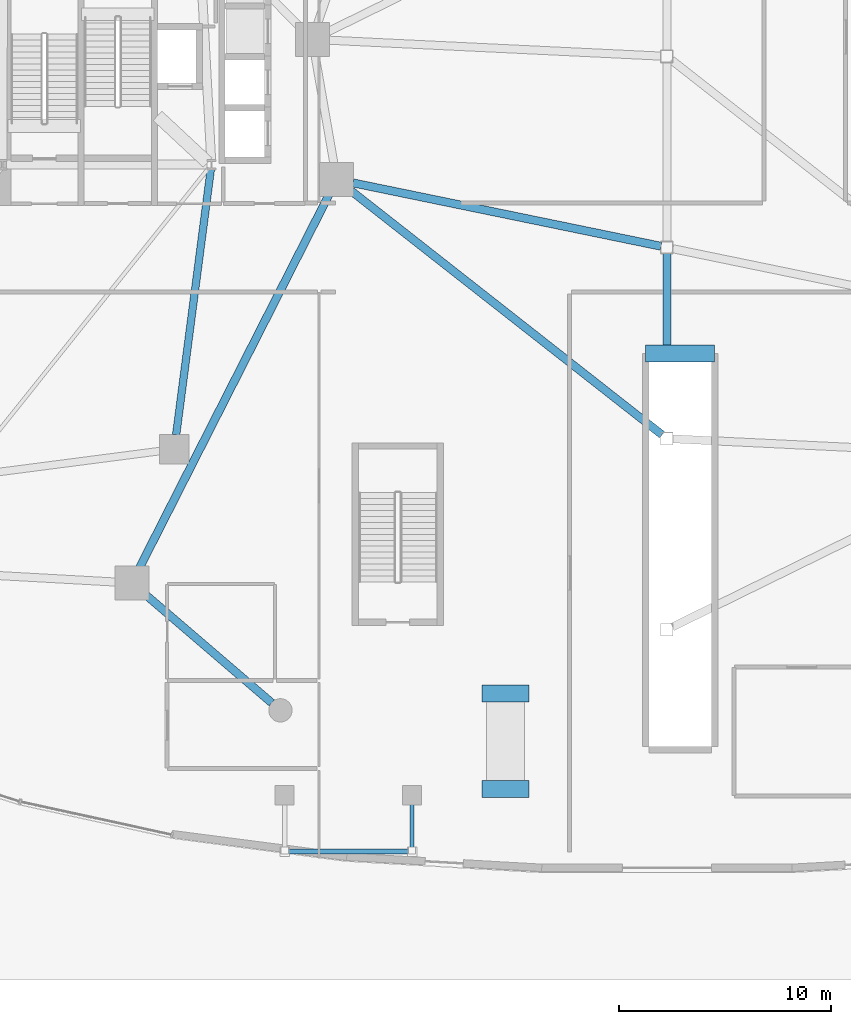
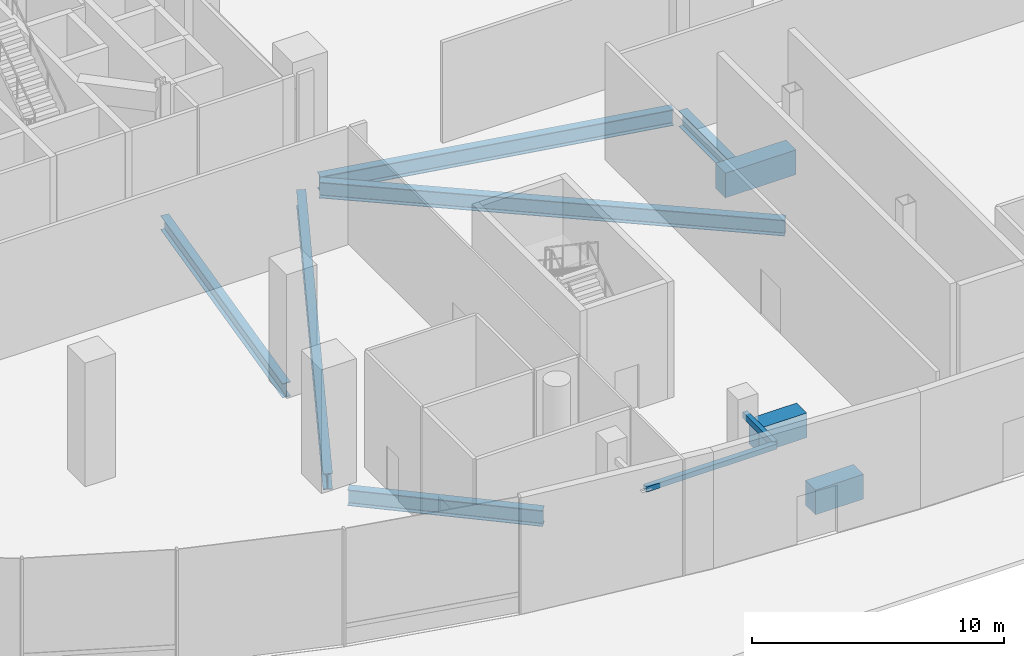
# One storey, part 4 of 20: 10 beams, 1 member.
"""IFC4 building model written with IfcOpenShell, lengths in metres."""

from ifc_helpers import new_model, si_unit, direction, frame, origin, origin_2d, place, context, subcontext, project, spatial, rectangle, hollow_rectangle, i_section, extrude, material, material_profile, profile_set, type_object, element, save


model = new_model("IFC4")

# Units and contexts
model_context = context("Model", 3, precision=1e-05, world=origin(), true_north=direction((0.0, 1.0)))
body_context = subcontext(model_context, "Body", "Model", "MODEL_VIEW")
ifc_project = project(units=[si_unit("LENGTHUNIT", "METRE"), si_unit("AREAUNIT", "SQUARE_METRE"), si_unit("VOLUMEUNIT", "CUBIC_METRE"), si_unit("PLANEANGLEUNIT", "RADIAN"), si_unit("MASSUNIT", "GRAM", prefix="KILO"), si_unit("THERMODYNAMICTEMPERATUREUNIT", "KELVIN"), si_unit("POWERUNIT", "WATT")], contexts=[model_context])

# Site, building, storey
site_placement = place(None, origin())
site = spatial("IfcSite", under=ifc_project, at=site_placement, CompositionType="ELEMENT")
building_placement = place(site_placement, origin())
building = spatial("IfcBuilding", under=site, at=building_placement, Name="Cundina Bronze Exchange", CompositionType="ELEMENT")
storey_placement = place(building_placement, origin())
storey = spatial("IfcBuildingStorey", under=building, at=storey_placement, Name="L00", CompositionType="ELEMENT", Elevation=0.0)

# Beams
ifc_material_1 = material(Name="Steel ASTM A500 Grade C", Category="steel")
ifc_material_profile_1 = material_profile(ifc_material_1, hollow_rectangle(XDim=0.199951171875, YDim=0.300048828125, WallThickness=0.011962890625, at=origin_2d()), Name="HSS300X200X12", Category="steel")
ifc_profile_set_1 = profile_set([ifc_material_profile_1], Name="Steel ASTM A500 Grade C")
beam_type_1 = type_object("IfcBeamType", Name="BM-CAN-HSS3020", PredefinedType="BEAM", material=ifc_profile_set_1)
beam_1_placement = place(storey_placement, frame((-12.0, -26.0, 4.64990234375), z_axis=(0.0, -1.0, 0.0), x_axis=(1.0, 0.0, 0.0)))
element("IfcBeam", 1, at=beam_1_placement, inside=storey, type_object=beam_type_1, Name="L00 South Station Entrance Canopy Outrigger 02", PredefinedType="BEAM", context=body_context, shape_type="SweptSolid", body=[
    extrude(hollow_rectangle(XDim=0.199951171875, YDim=0.300048828125, WallThickness=0.011962890625, at=origin_2d()), origin(), (0.0, 0.0, 1.0), 2.39990234375),
])
ifc_material_2 = material(Name="Concrete C40/50", Category="concrete")
ifc_material_profile_2 = material_profile(ifc_material_2, rectangle(XDim=0.800048828125, YDim=1.199951171875, at=origin_2d()), Name="RC800X1200", Category="concrete")
ifc_profile_set_2 = profile_set([ifc_material_profile_2], Name="Concrete C40/50")
beam_type_2 = type_object("IfcBeamType", Name="BM-GRND-RC1200", PredefinedType="BEAM", material=ifc_profile_set_2)
beam_2_placement = place(storey_placement, frame((-1.0, -5.0, -0.60009765625), z_axis=(1.0, 0.0, 0.0), x_axis=(0.0, 1.0, 0.0)))
element("IfcBeam", 2, at=beam_2_placement, inside=storey, type_object=beam_type_2, Name="L00 Ramp Arrival Bearing Beam", PredefinedType="BEAM", context=body_context, shape_type="SweptSolid", body=[
    extrude(rectangle(XDim=0.800048828125, YDim=1.199951171875, at=origin_2d()), origin(), (0.0, 0.0, 1.0), 3.25),
])
for number, where, z_axis, x_axis, name in (
    (3, (-8.699951171875, -25.5, -0.85009765625), (1.0, 0.0, 0.0), (0.0, 1.0, 0.0), "L00 Accessible Ramp S Lower Bearing Beam"),
    (4, (-8.699951171875, -21.0, -0.60009765625), (1.0, 0.0, 0.0), (0.0, 1.0, 0.0), "L00 Accessible Ramp S Upper Bearing Beam"),
):
    element("IfcBeam", number, at=place(storey_placement, frame(where, z_axis=z_axis, x_axis=x_axis)), inside=storey, type_object=beam_type_2, Name=name, PredefinedType="BEAM", context=body_context, shape_type="SweptSolid", body=[
        extrude(rectangle(XDim=0.800048828125, YDim=1.199951171875, at=origin_2d()), origin(), (0.0, 0.0, 1.0), 2.199951171875),
    ])
ifc_material_3 = material(Name="Steel ASTM A992 Grade 50", Category="steel")
ifc_material_profile_3 = material_profile(ifc_material_3, i_section(OverallWidth=0.35498046875, OverallDepth=0.695068359375, WebThickness=0.015380859375, FlangeThickness=0.02490234375, FilletRadius=0.01806640625, at=origin_2d()), Name="W27X146", Category="steel")
ifc_profile_set_3 = profile_set([ifc_material_profile_3], Name="Steel ASTM A992 Grade 50")
beam_type_3 = type_object("IfcBeamType", Name="BM-RING-W27", PredefinedType="USERDEFINED", material=ifc_profile_set_3)
beam_3_placement = place(storey_placement, frame((-23.11083984375, -8.81787109375, -0.697509765625), z_axis=(0.129498776905, 0.991579581668, 0.0), x_axis=(-0.991579581668, 0.129498776905, 0.0)))
element("IfcBeam", 5, at=beam_3_placement, inside=storey, type_object=beam_type_3, Name="L00 W Inner Structural Ring Girder 07", ObjectType="GIRDER", PredefinedType="USERDEFINED", context=body_context, shape_type="SweptSolid", body=[
    extrude(i_section(OverallWidth=0.35498046875, OverallDepth=0.695068359375, WebThickness=0.015380859375, FlangeThickness=0.02490234375, FilletRadius=0.01806640625, at=origin_2d()), origin(), (0.0, 0.0, 1.0), 12.621826171875),
])
ifc_material_profile_4 = material_profile(ifc_material_3, i_section(OverallWidth=0.381103515625, OverallDepth=0.77294921875, WebThickness=0.0166015625, FlangeThickness=0.027099609375, FilletRadius=0.01904296875, at=origin_2d()), Name="W30X173", Category="steel")
ifc_profile_set_4 = profile_set([ifc_material_profile_4], Name="Steel ASTM A992 Grade 50")
beam_type_4 = type_object("IfcBeamType", Name="BM-RING-W30", PredefinedType="USERDEFINED", material=ifc_profile_set_4)
beam_4_placement = place(storey_placement, frame((0.0, -4.6201171875, -0.736572265625), z_axis=(0.0, 1.0, 0.0), x_axis=(-1.0, 0.0, 0.0)))
element("IfcBeam", 6, at=beam_4_placement, inside=storey, type_object=beam_type_4, Name="L00 Concourse Spine Longitudinal Girder 02", ObjectType="GIRDER", PredefinedType="USERDEFINED", context=body_context, shape_type="SweptSolid", body=[
    extrude(i_section(OverallWidth=0.381103515625, OverallDepth=0.77294921875, WebThickness=0.0166015625, FlangeThickness=0.027099609375, FilletRadius=0.01904296875, at=origin_2d()), origin(), (0.0, 0.0, 1.0), 4.33203125),
])
beam_5_placement = place(storey_placement, frame((-18.6083984375, -21.449951171875, -0.736572265625), z_axis=(-0.759256602365, 0.650791373456, 0.0), x_axis=(-0.650791373456, -0.759256602365, 0.0)))
element("IfcBeam", 7, at=beam_5_placement, inside=storey, type_object=beam_type_4, Name="L00 Podium Colonnade Tie Beam 06", ObjectType="GIRDER", PredefinedType="USERDEFINED", context=body_context, shape_type="SweptSolid", body=[
    extrude(i_section(OverallWidth=0.381103515625, OverallDepth=0.77294921875, WebThickness=0.0166015625, FlangeThickness=0.027099609375, FilletRadius=0.01904296875, at=origin_2d()), origin(), (0.0, 0.0, 1.0), 7.893798828125),
])
beam_6_placement = place(storey_placement, frame((-14.929931640625, 2.713623046875, -0.736572265625), z_axis=(0.786753774413, -0.617266958817, 0.0), x_axis=(0.617266958817, 0.786753774413, 0.0)))
element("IfcBeam", 8, at=beam_6_placement, inside=storey, type_object=beam_type_4, Name="L00 Concourse West Span Girder 02", ObjectType="GIRDER", PredefinedType="USERDEFINED", context=body_context, shape_type="SweptSolid", body=[
    extrude(i_section(OverallWidth=0.381103515625, OverallDepth=0.77294921875, WebThickness=0.0166015625, FlangeThickness=0.027099609375, FilletRadius=0.01904296875, at=origin_2d()), origin(), (0.0, 0.0, 1.0), 18.688720703125),
])
beam_7_placement = place(storey_placement, frame((-14.7783203125, 3.041259765625, -0.736572265625), z_axis=(0.979475533682, -0.201563089177, 0.0), x_axis=(0.201563089177, 0.979475533682, 0.0)))
element("IfcBeam", 9, at=beam_7_placement, inside=storey, type_object=beam_type_4, Name="L00 Concourse West Span Girder 03", ObjectType="GIRDER", PredefinedType="USERDEFINED", context=body_context, shape_type="SweptSolid", body=[
    extrude(i_section(OverallWidth=0.381103515625, OverallDepth=0.77294921875, WebThickness=0.0166015625, FlangeThickness=0.027099609375, FilletRadius=0.01904296875, at=origin_2d()), origin(), (0.0, 0.0, 1.0), 14.800048828125),
])
beam_8_placement = place(storey_placement, frame((-24.84326171875, -15.097412109375, -0.736572265625), z_axis=(0.452846100384, 0.891588699663, 0.0), x_axis=(-0.891588699663, 0.452846100384, 0.0)))
element("IfcBeam", 10, at=beam_8_placement, inside=storey, type_object=beam_type_4, Name="L00 W Podium Ring Girder 12", ObjectType="GIRDER", PredefinedType="USERDEFINED", context=body_context, shape_type="SweptSolid", body=[
    extrude(i_section(OverallWidth=0.381103515625, OverallDepth=0.77294921875, WebThickness=0.0166015625, FlangeThickness=0.027099609375, FilletRadius=0.01904296875, at=origin_2d()), origin(), (0.0, 0.0, 1.0), 19.734130859375),
])

# Member
ifc_material_profile_5 = material_profile(ifc_material_1, hollow_rectangle(XDim=0.25, YDim=0.25, WallThickness=0.013916015625, at=origin_2d()), Name="HSS250X250X14", Category="steel")
ifc_profile_set_5 = profile_set([ifc_material_profile_5], Name="Steel ASTM A500 Grade C")
member_type = type_object("IfcMemberType", Name="MBR-CAN-HSS250", PredefinedType="STRINGER", material=ifc_profile_set_5)
member_placement = place(storey_placement, frame((-18.0, -28.449951171875, 4.64990234375), z_axis=(1.0, 0.0, 0.0), x_axis=(0.0, 1.0, 0.0)))
element("IfcMember", 11, at=member_placement, inside=storey, type_object=member_type, Name="L00 Canopy Fascia Stringer 01", PredefinedType="STRINGER", context=body_context, shape_type="SweptSolid", body=[
    extrude(hollow_rectangle(XDim=0.25, YDim=0.25, WallThickness=0.013916015625, at=origin_2d()), origin(), (0.0, 0.0, 1.0), 6.0),
])

save(model, "model.ifc")
